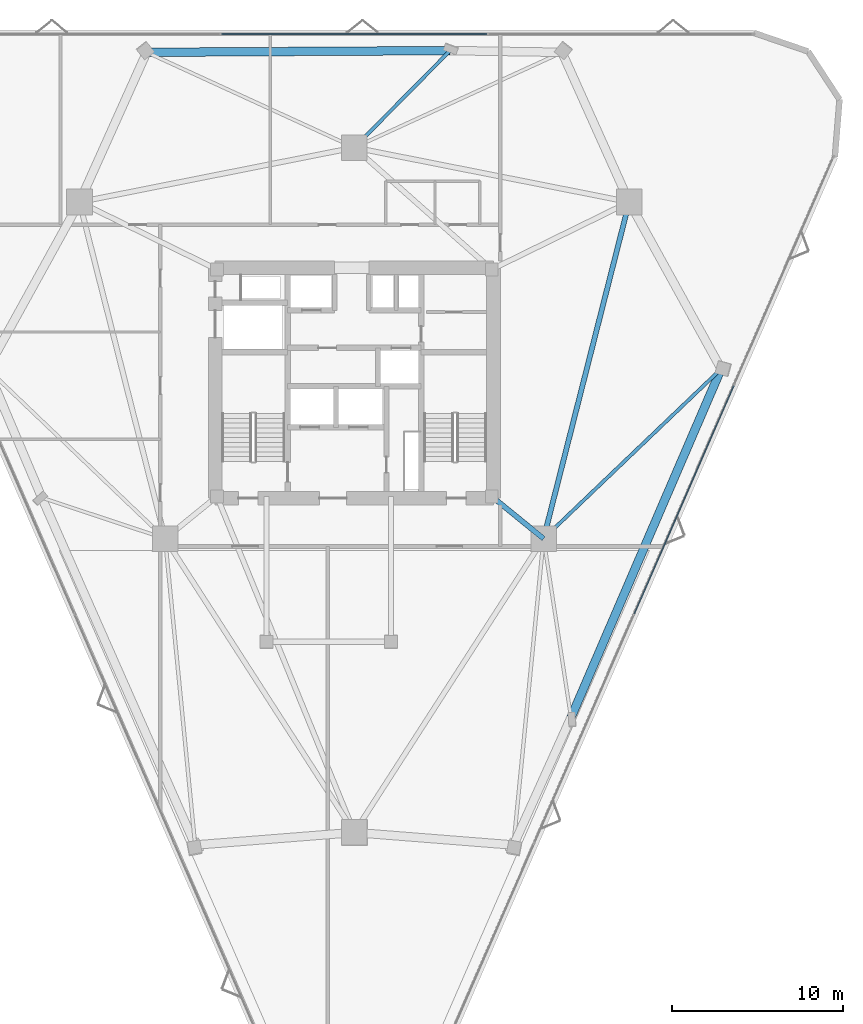
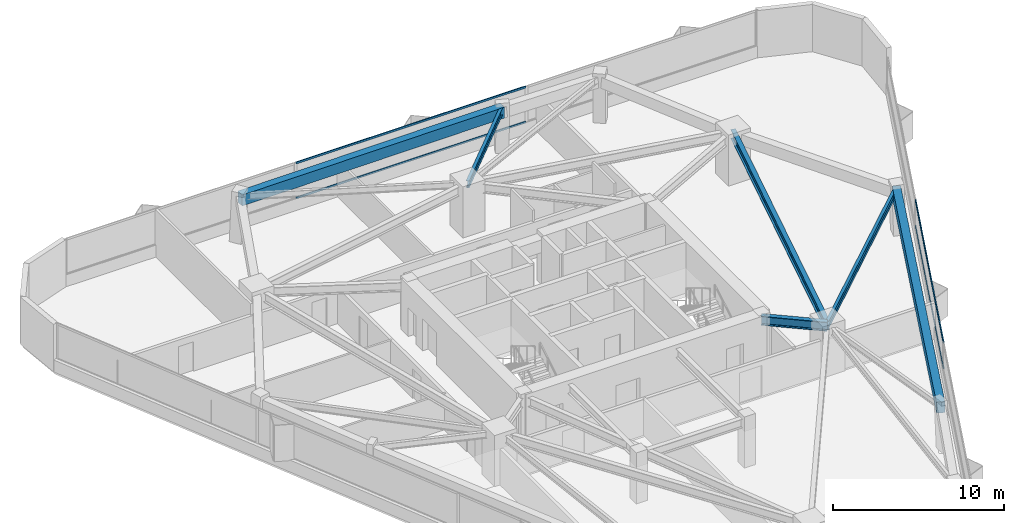
# One storey, part 6 of 13: 6 beams, 4 members, 2 elements without a shape of their own.
"""IFC4 building model written with IfcOpenShell, lengths in metres."""

from ifc_helpers import new_model, si_unit, direction, frame, origin, origin_2d, place, context, subcontext, project, spatial, rectangle, i_section, extrude, material, layer, layer_set, material_profile, profile_set, type_object, element, aggregate, save


model = new_model("IFC4")

# Units and contexts
model_context = context("Model", 3, precision=1e-05, world=origin(), true_north=direction((0.0, 1.0)))
body_context = subcontext(model_context, "Body", "Model", "MODEL_VIEW")
ifc_project = project(units=[si_unit("LENGTHUNIT", "METRE"), si_unit("AREAUNIT", "SQUARE_METRE"), si_unit("VOLUMEUNIT", "CUBIC_METRE"), si_unit("PLANEANGLEUNIT", "RADIAN"), si_unit("MASSUNIT", "GRAM", prefix="KILO")], contexts=[model_context])

# Site, building, storey
site_placement = place(None, origin())
site = spatial("IfcSite", under=ifc_project, at=site_placement, CompositionType="ELEMENT")
building_placement = place(site_placement, origin())
building = spatial("IfcBuilding", under=site, at=building_placement, Name="Talyreon Biosciences Tower", CompositionType="ELEMENT")
storey_placement = place(building_placement, frame((0.0, 0.0, 145.449951171875)))
storey = spatial("IfcBuildingStorey", under=building, at=storey_placement, Name="L38", CompositionType="ELEMENT", Elevation=145.449951171875)

# Curtain wall, members
ifc_material_1 = material(Name="Thermally broken aluminium and low-E glazing", Category="aluminium")
ifc_layer = layer(ifc_material_1, 0.18505859375)
ifc_layer_set = layer_set([ifc_layer], Name="Thermally broken aluminium and low-E glazing")
curtain_wall_type = type_object("IfcCurtainWallType", Name="CurtainWall_Zone3Bioprocess", PredefinedType="NOTDEFINED", material=ifc_layer_set)
curtain_wall_1_placement = place(storey_placement, origin())
curtain_wall_1 = element("IfcCurtainWall", 1, at=curtain_wall_1_placement, inside=storey, type_object=curtain_wall_type, Name="L38 Unitised Curtain Wall FCW-L38-04", PredefinedType="NOTDEFINED")
ifc_material_2 = material(Name="Anodised thermally broken aluminium", Category="aluminium")
ifc_material_profile_1 = material_profile(ifc_material_2, rectangle(XDim=0.06494140625, YDim=0.139892578125, at=origin_2d()), Name="ALUM TRANSOM 65x140")
ifc_profile_set_1 = profile_set([ifc_material_profile_1], Name="Anodised thermally broken aluminium")
member_type = type_object("IfcMemberType", Name="CWTransom_65x140", PredefinedType="USERDEFINED", material=ifc_profile_set_1)
member_1_placement = place(storey_placement, frame((58.235107421875, 88.439453125, 0.842529296875), z_axis=(1.0, 0.0, 0.0), x_axis=(0.0, 1.0, 0.0)))
member_1 = element("IfcMember", 2, at=member_1_placement, type_object=member_type, Name="CW4 transom 2.1", ObjectType="TRANSOM", PredefinedType="USERDEFINED", context=body_context, shape_type="SweptSolid", body=[
    extrude(rectangle(XDim=0.06494140625, YDim=0.139892578125, at=origin_2d()), origin(), (0.0, 0.0, 1.0), 15.52978515625),
])
member_2_placement = place(storey_placement, frame((58.235107421875, 88.439453125, 3.342529296875), z_axis=(1.0, 0.0, 0.0), x_axis=(0.0, 1.0, 0.0)))
member_2 = element("IfcMember", 3, at=member_2_placement, type_object=member_type, Name="CW4 transom 2.2", ObjectType="TRANSOM", PredefinedType="USERDEFINED", context=body_context, shape_type="SweptSolid", body=[
    extrude(rectangle(XDim=0.06494140625, YDim=0.139892578125, at=origin_2d()), origin(), (0.0, 0.0, 1.0), 15.52978515625),
])
aggregate(curtain_wall_1, [member_1, member_2])

curtain_wall_2_placement = place(storey_placement, origin())
curtain_wall_2 = element("IfcCurtainWall", 4, at=curtain_wall_2_placement, inside=storey, type_object=curtain_wall_type, Name="L38 Unitised Curtain Wall FCW-L38-08", PredefinedType="NOTDEFINED")
member_3_placement = place(storey_placement, frame((88.224609375, 67.83154296875, 0.842529296875), z_axis=(-0.399702786564, -0.916644796207, 0.0), x_axis=(0.916644796207, -0.399702786564, 0.0)))
member_3 = element("IfcMember", 5, at=member_3_placement, type_object=member_type, Name="CW4 transom 2.1", ObjectType="TRANSOM", PredefinedType="USERDEFINED", context=body_context, shape_type="SweptSolid", body=[
    extrude(rectangle(XDim=0.06494140625, YDim=0.139892578125, at=origin_2d()), origin(), (0.0, 0.0, 1.0), 14.56640625),
])
member_4_placement = place(storey_placement, frame((88.224609375, 67.83154296875, 2.66748046875), z_axis=(-0.399702786564, -0.916644796207, 0.0), x_axis=(0.916644796207, -0.399702786564, 0.0)))
member_4 = element("IfcMember", 6, at=member_4_placement, type_object=member_type, Name="CW4 transom 2.2", ObjectType="TRANSOM", PredefinedType="USERDEFINED", context=body_context, shape_type="SweptSolid", body=[
    extrude(rectangle(XDim=0.06494140625, YDim=0.139892578125, at=origin_2d()), origin(), (0.0, 0.0, 1.0), 14.56640625),
])
aggregate(curtain_wall_2, [member_3, member_4])

# Beams
ifc_material_3 = material(Name="Precast concrete C45/55", Category="concrete")
ifc_material_profile_2 = material_profile(ifc_material_3, rectangle(XDim=0.5, YDim=0.780029296875, at=origin_2d()), Name="RCB 500x780")
ifc_profile_set_2 = profile_set([ifc_material_profile_2], Name="Precast concrete C45/55")
beam_type_1 = type_object("IfcBeamType", Name="ExpressedSpandrel_500x780", PredefinedType="SPANDREL", material=ifc_profile_set_2)
beam_1_placement = place(storey_placement, frame((78.693115234375, 48.399658203125, 2.985107421875), z_axis=(0.395569478173, 0.918436055443, 0.0), x_axis=(-0.918436055443, 0.395569478173, 0.0)))
element("IfcBeam", 7, at=beam_1_placement, inside=storey, type_object=beam_type_1, Name="L38 Expressed Horizontal Concrete Spandrel 03", PredefinedType="SPANDREL", context=body_context, shape_type="SweptSolid", body=[
    extrude(rectangle(XDim=0.5, YDim=0.780029296875, at=origin_2d()), origin(), (0.0, 0.0, 1.0), 22.23974609375),
])
beam_2_placement = place(storey_placement, frame((71.6142578125, 87.469482421875, 2.985107421875), z_axis=(-0.999984150118, -0.0056302321, 0.0), x_axis=(0.0056302321, -0.999984150118, 0.0)))
element("IfcBeam", 8, at=beam_2_placement, inside=storey, type_object=beam_type_1, Name="L38 Expressed Horizontal Concrete Spandrel 07", PredefinedType="SPANDREL", context=body_context, shape_type="SweptSolid", body=[
    extrude(rectangle(XDim=0.5, YDim=0.780029296875, at=origin_2d()), origin(), (0.0, 0.0, 1.0), 17.778564453125),
])
ifc_material_4 = material(Name="Steel SM355", Category="steel")
ifc_material_profile_3 = material_profile(ifc_material_4, i_section(OverallWidth=0.300048828125, OverallDepth=0.64990234375, WebThickness=0.01611328125, FlangeThickness=0.031005859375, FilletRadius=0.027099609375, at=origin_2d()), Name="HE650B")
ifc_profile_set_3 = profile_set([ifc_material_profile_3], Name="Steel SM355")
beam_type_2 = type_object("IfcBeamType", Name="SteelBeam_HE650B", PredefinedType="BEAM", material=ifc_profile_set_3)
beam_3_placement = place(storey_placement, frame((77.086181640625, 58.88037109375, 3.050048828125), z_axis=(0.246537082299, 0.969133358755, 0.0), x_axis=(-0.969133358755, 0.246537082299, 0.0)))
element("IfcBeam", 9, at=beam_3_placement, inside=storey, type_object=beam_type_2, Name="L38 Mega-Ring Girder 2", PredefinedType="BEAM", context=body_context, shape_type="SweptSolid", body=[
    extrude(i_section(OverallWidth=0.300048828125, OverallDepth=0.64990234375, WebThickness=0.01611328125, FlangeThickness=0.031005859375, FilletRadius=0.027099609375, at=origin_2d()), origin(), (0.0, 0.0, 1.0), 20.34619140625),
])
beam_4_placement = place(storey_placement, frame((74.050048828125, 61.35009765625, 3.050048828125), z_axis=(0.775755154013, -0.631034025249, 0.0), x_axis=(0.631034025249, 0.775755154013, 0.0)))
element("IfcBeam", 10, at=beam_4_placement, inside=storey, type_object=beam_type_2, Name="L38 Radial Primary Girder 2", PredefinedType="BEAM", context=body_context, shape_type="SweptSolid", body=[
    extrude(i_section(OverallWidth=0.300048828125, OverallDepth=0.64990234375, WebThickness=0.01611328125, FlangeThickness=0.031005859375, FilletRadius=0.027099609375, at=origin_2d()), origin(), (0.0, 0.0, 1.0), 3.913818359375),
])
ifc_material_profile_4 = material_profile(ifc_material_4, i_section(OverallWidth=0.199951171875, OverallDepth=0.5, WebThickness=0.01025390625, FlangeThickness=0.01611328125, FilletRadius=0.02099609375, at=origin_2d()), Name="IPE500")
ifc_profile_set_4 = profile_set([ifc_material_profile_4], Name="Steel SM355")
beam_type_3 = type_object("IfcBeamType", Name="SteelJoist_IPE500", PredefinedType="JOIST", material=ifc_profile_set_4)
beam_5_placement = place(storey_placement, frame((77.086181640625, 58.88037109375, 3.125), z_axis=(0.722880161981, 0.690973423088, 0.0), x_axis=(-0.690973423088, 0.722880161981, 0.0)))
element("IfcBeam", 11, at=beam_5_placement, inside=storey, type_object=beam_type_3, Name="L38 Radial Composite Floor Joist PC-SE2", PredefinedType="JOIST", context=body_context, shape_type="SweptSolid", body=[
    extrude(i_section(OverallWidth=0.199951171875, OverallDepth=0.5, WebThickness=0.01025390625, FlangeThickness=0.01611328125, FilletRadius=0.02099609375, at=origin_2d()), origin(), (0.0, 0.0, 1.0), 14.392822265625),
])
beam_6_placement = place(storey_placement, frame((66.0, 81.788818359375, 3.125), z_axis=(0.702937338471, 0.711251782551, 0.0), x_axis=(-0.711251782551, 0.702937338471, 0.0)))
element("IfcBeam", 12, at=beam_6_placement, inside=storey, type_object=beam_type_3, Name="L38 Radial Composite Floor Joist PL-N", PredefinedType="JOIST", context=body_context, shape_type="SweptSolid", body=[
    extrude(i_section(OverallWidth=0.199951171875, OverallDepth=0.5, WebThickness=0.01025390625, FlangeThickness=0.01611328125, FilletRadius=0.02099609375, at=origin_2d()), origin(), (0.0, 0.0, 1.0), 7.98681640625),
])

save(model, "model.ifc")
